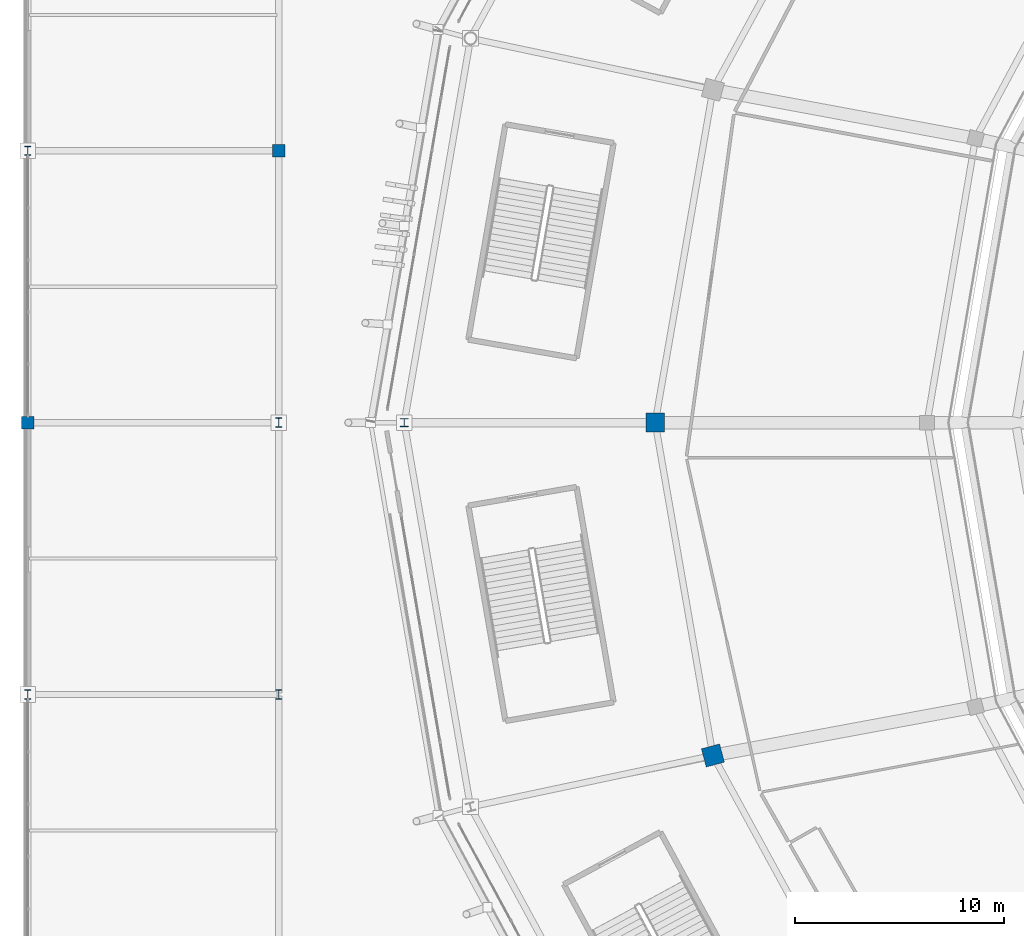
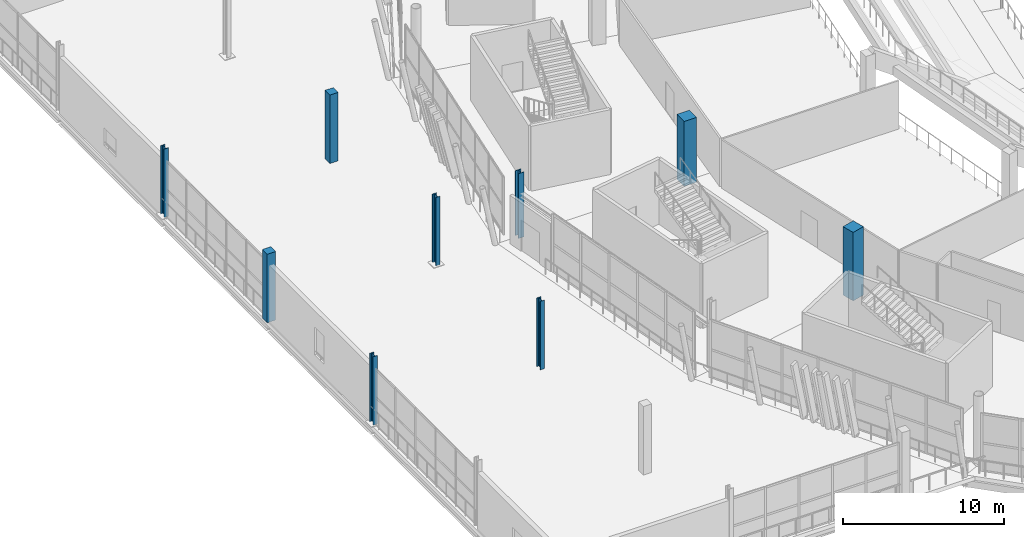
# One storey, part 7 of 178: 9 columns.
"""IFC4 building model written with IfcOpenShell, lengths in metres."""

from ifc_helpers import new_model, si_unit, direction, frame, origin, origin_2d, place, context, subcontext, project, spatial, rectangle, i_section, extrude, material, material_profile, profile_set, type_object, element, save


model = new_model("IFC4")

# Units and contexts
model_context = context("Model", 3, precision=1e-05, world=origin(), true_north=direction((0.0, 1.0)))
body_context = subcontext(model_context, "Body", "Model", "MODEL_VIEW")
ifc_project = project(units=[si_unit("LENGTHUNIT", "METRE"), si_unit("AREAUNIT", "SQUARE_METRE"), si_unit("VOLUMEUNIT", "CUBIC_METRE"), si_unit("PLANEANGLEUNIT", "RADIAN"), si_unit("MASSUNIT", "GRAM", prefix="KILO")], contexts=[model_context])

# Site, building, storey
site_placement = place(None, origin())
site = spatial("IfcSite", under=ifc_project, at=site_placement, CompositionType="ELEMENT")
building_placement = place(site_placement, origin())
building = spatial("IfcBuilding", under=site, at=building_placement, Name="Zlatoyarsky Gate Stadium", CompositionType="ELEMENT")
storey_placement = place(building_placement, frame((0.0, 0.0, 5.39990234375)))
storey = spatial("IfcBuildingStorey", under=building, at=storey_placement, Name="L01", CompositionType="ELEMENT", Elevation=5.39990234375)

# Columns
ifc_material_1 = material(Name="Concrete C40/50", Category="concrete")
ifc_material_profile_1 = material_profile(ifc_material_1, rectangle(XDim=0.60009765625, YDim=0.60009765625, at=origin_2d()), Name="RC COL 600X600")
ifc_profile_set_1 = profile_set([ifc_material_profile_1], Name="Concrete C40/50")
column_type_1 = type_object("IfcColumnType", Name="CONCRETE COLUMN 600X600", PredefinedType="COLUMN", material=ifc_profile_set_1)
for number, where, z_axis, x_axis, name in (
    (1, (0.0, 80.0, 0.0), (0.0, 0.0, 1.0), (1.0, 0.0, 0.0), "Column RC-C60 WG-1-H on L01"),
    (2, (12.0, 93.0, 0.0), (0.0, 0.0, 1.0), (1.0, 0.0, 0.0), "Column RC-C60 WG-2-J on L01"),
):
    element("IfcColumn", number, at=place(storey_placement, frame(where, z_axis=z_axis, x_axis=x_axis)), inside=storey, type_object=column_type_1, Name=name, PredefinedType="COLUMN", context=body_context, shape_type="SweptSolid", body=[
        extrude(rectangle(XDim=0.60009765625, YDim=0.60009765625, at=origin_2d()), origin(), (0.0, 0.0, 1.0), 5.2001953125),
    ])
ifc_material_profile_2 = material_profile(ifc_material_1, rectangle(XDim=0.89990234375, YDim=0.89990234375, at=origin_2d()), Name="RC COL 900X900")
ifc_profile_set_2 = profile_set([ifc_material_profile_2], Name="Concrete C40/50")
column_type_2 = type_object("IfcColumnType", Name="CONCRETE COLUMN 900X900", PredefinedType="COLUMN", material=ifc_profile_set_2)
column_1_placement = place(storey_placement, frame((30.0, 80.0, 0.0), z_axis=(0.0, 0.0, 1.0), x_axis=(-1.0, 0.0, 0.0)))
element("IfcColumn", 3, at=column_1_placement, inside=storey, type_object=column_type_2, Name="Column RC-C90 RB-12 on L01", PredefinedType="COLUMN", context=body_context, shape_type="SweptSolid", body=[
    extrude(rectangle(XDim=0.89990234375, YDim=0.89990234375, at=origin_2d()), origin(), (0.0, 0.0, 1.0), 4.920166015625),
])
column_2_placement = place(storey_placement, frame((32.760009765625, 64.08251953125, 0.0), z_axis=(0.0, 0.0, 1.0), x_axis=(-0.965925826289, -0.258819045103, 0.0)))
element("IfcColumn", 4, at=column_2_placement, inside=storey, type_object=column_type_2, Name="Column RC-C90 RB-13 on L01", PredefinedType="COLUMN", context=body_context, shape_type="SweptSolid", body=[
    extrude(rectangle(XDim=0.89990234375, YDim=0.89990234375, at=origin_2d()), origin(), (0.0, 0.0, 1.0), 5.2001953125),
])
ifc_material_2 = material(Name="Steel S355", Category="steel")
ifc_material_profile_3 = material_profile(ifc_material_2, i_section(OverallWidth=0.300048828125, OverallDepth=0.449951171875, WebThickness=0.013916015625, FlangeThickness=0.02587890625, FilletRadius=0.027099609375, at=origin_2d()), Name="HEB 450")
ifc_profile_set_3 = profile_set([ifc_material_profile_3], Name="Steel S355")
column_type_3 = type_object("IfcColumnType", Name="STEEL COLUMN HEB 450", PredefinedType="COLUMN", material=ifc_profile_set_3)
for number, where, z_axis, x_axis, name in (
    (5, (0.0, 67.0, 0.0), (0.0, 0.0, 1.0), (1.0, 0.0, 0.0), "Column ST-C450 WG-1-G on L01"),
    (6, (0.0, 93.0, 0.0), (0.0, 0.0, 1.0), (1.0, 0.0, 0.0), "Column ST-C450 WG-1-J on L01"),
    (7, (12.0, 67.0, 0.0), (0.0, 0.0, 1.0), (1.0, 0.0, 0.0), "Column ST-C450 WG-2-G on L01"),
    (8, (12.0, 80.0, 0.0), (0.0, 0.0, 1.0), (1.0, 0.0, 0.0), "Column ST-C450 WG-2-H on L01"),
):
    element("IfcColumn", number, at=place(storey_placement, frame(where, z_axis=z_axis, x_axis=x_axis)), inside=storey, type_object=column_type_3, Name=name, PredefinedType="COLUMN", context=body_context, shape_type="SweptSolid", body=[
        extrude(i_section(OverallWidth=0.300048828125, OverallDepth=0.449951171875, WebThickness=0.013916015625, FlangeThickness=0.02587890625, FilletRadius=0.027099609375, at=origin_2d()), origin(), (0.0, 0.0, 1.0), 5.2001953125),
    ])
ifc_material_profile_4 = material_profile(ifc_material_2, i_section(OverallWidth=0.406005859375, OverallDepth=0.416015625, WebThickness=0.02392578125, FlangeThickness=0.0390625, FilletRadius=0.014892578125, at=origin_2d()), Name="HD 400X382")
ifc_profile_set_4 = profile_set([ifc_material_profile_4], Name="Steel S355")
column_type_4 = type_object("IfcColumnType", Name="STEEL PORTAL PILASTER HD 400X382", PredefinedType="PILASTER", material=ifc_profile_set_4)
column_3_placement = place(storey_placement, frame((18.0, 80.0, 0.0), z_axis=(0.0, 0.0, 1.0), x_axis=(-1.0, 0.0, 0.0)))
element("IfcColumn", 9, at=column_3_placement, inside=storey, type_object=column_type_4, Name="Column ST-CHD RC-12 on L01", PredefinedType="PILASTER", context=body_context, shape_type="SweptSolid", body=[
    extrude(i_section(OverallWidth=0.406005859375, OverallDepth=0.416015625, WebThickness=0.02392578125, FlangeThickness=0.0390625, FilletRadius=0.014892578125, at=origin_2d()), origin(), (0.0, 0.0, 1.0), 4.920166015625),
])

save(model, "model.ifc")
